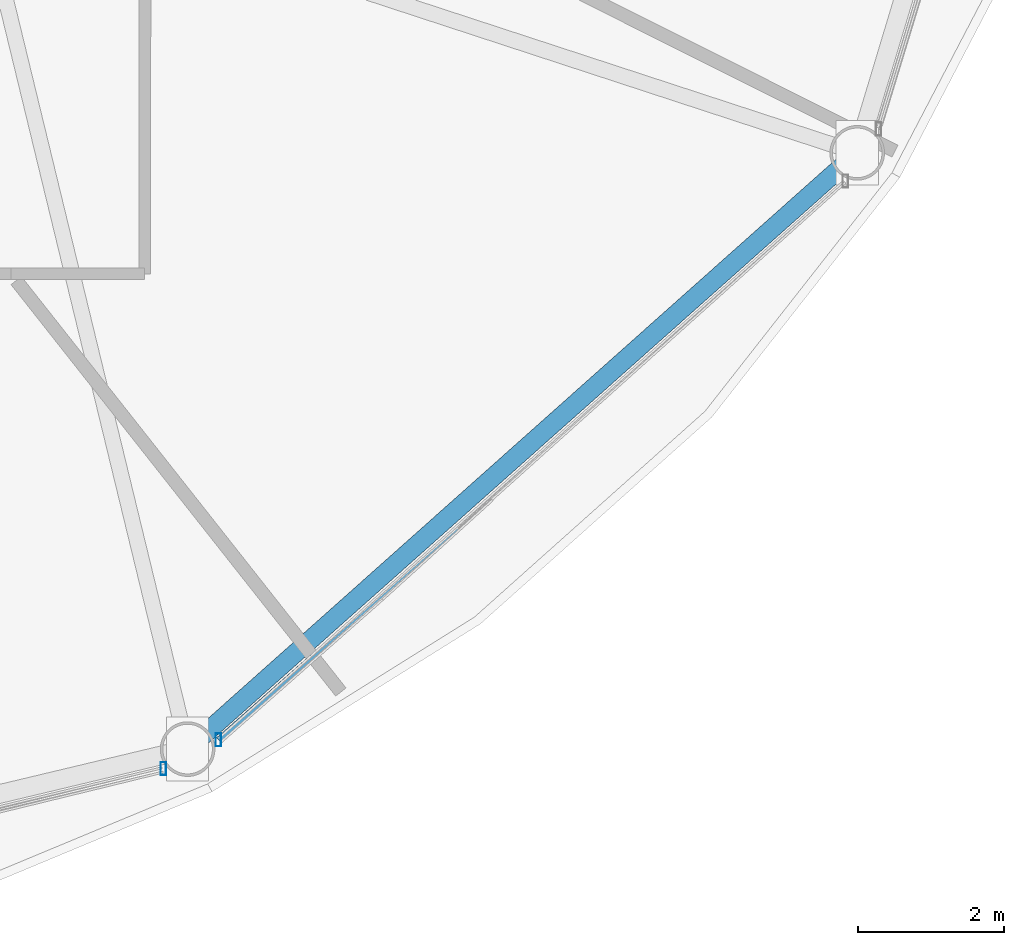
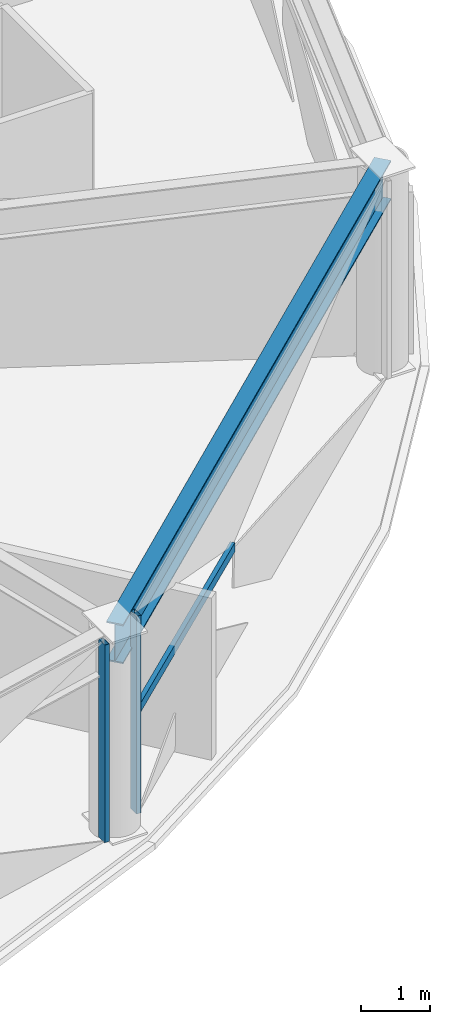
# One storey, part 9 of 30: 3 members, 1 beam, 2 elements without a shape of their own.
"""IFC4 building model written with IfcOpenShell, lengths in metres."""

from ifc_helpers import new_model, si_unit, direction, frame, origin, origin_2d, place, context, subcontext, project, spatial, hollow_rectangle, i_section, extrude, material, layer, layer_set, material_profile, profile_set, type_object, element, aggregate, save


model = new_model("IFC4")

# Units and contexts
model_context = context("Model", 3, precision=1e-05, world=origin(), true_north=direction((0.0, 1.0)))
body_context = subcontext(model_context, "Body", "Model", "MODEL_VIEW")
ifc_project = project(units=[si_unit("LENGTHUNIT", "METRE"), si_unit("AREAUNIT", "SQUARE_METRE"), si_unit("VOLUMEUNIT", "CUBIC_METRE"), si_unit("PLANEANGLEUNIT", "RADIAN"), si_unit("MASSUNIT", "GRAM", prefix="KILO")], contexts=[model_context])

# Site, building, storey
site_placement = place(None, origin())
site = spatial("IfcSite", under=ifc_project, at=site_placement, CompositionType="ELEMENT")
building_placement = place(site_placement, origin())
building = spatial("IfcBuilding", under=site, at=building_placement, Name="Vantalir Tower", CompositionType="ELEMENT")
storey_placement = place(building_placement, frame((0.0, 0.0, 130.949951171875)))
storey = spatial("IfcBuildingStorey", under=building, at=storey_placement, Name="L32", CompositionType="ELEMENT", Elevation=130.949951171875)

# Beam
ifc_material_1 = material(Name="Steel S460", Category="steel")
ifc_material_profile_1 = material_profile(ifc_material_1, i_section(OverallWidth=0.256103515625, OverallDepth=0.693115234375, WebThickness=0.014404296875, FlangeThickness=0.023681640625, at=origin_2d()), Name="Steel S460")
ifc_profile_set_1 = profile_set([ifc_material_profile_1], Name="Steel S460")
beam_type = type_object("IfcBeamType", Name="BM-RG-686x254", PredefinedType="USERDEFINED", material=ifc_profile_set_1)
beam_placement = place(storey_placement, frame((44.047119140625, 5.64892578125, 3.22412109375), z_axis=(0.746820820992, 0.665025308791, 0.0), x_axis=(-0.665025308791, 0.746820820992, 0.0)))
element("IfcBeam", 1, at=beam_placement, inside=storey, type_object=beam_type, Name="L32 Circumferential Ring Girder 11", ObjectType="GIRDER", PredefinedType="USERDEFINED", context=body_context, shape_type="SweptSolid", body=[
    extrude(i_section(OverallWidth=0.256103515625, OverallDepth=0.693115234375, WebThickness=0.014404296875, FlangeThickness=0.023681640625, at=origin_2d()), origin(), (0.0, 0.0, 1.0), 12.29736328125),
])

# Curtain wall, member
ifc_material_2 = material(Name="Champagne-silver PVDF aluminium and double-silver Low-E glass", Category="aluminium")
ifc_layer = layer(ifc_material_2, 0.199951171875)
ifc_layer_set = layer_set([ifc_layer], Name="Champagne-silver PVDF aluminium and double-silver Low-E glass")
curtain_wall_type = type_object("IfcCurtainWallType", Name="CW-DIAMOND-Z2", PredefinedType="USERDEFINED", material=ifc_layer_set)
curtain_wall_1_placement = place(storey_placement, origin())
curtain_wall_1 = element("IfcCurtainWall", 2, at=curtain_wall_1_placement, inside=storey, type_object=curtain_wall_type, Name="L32 Quilted Pyramid-Diamond Curtain Wall S10", ObjectType="UNITISED CURTAIN WALL", PredefinedType="USERDEFINED")
ifc_material_3 = material(Name="Champagne-silver PVDF aluminium 6063-T6", Category="aluminium")
ifc_material_profile_2 = material_profile(ifc_material_3, hollow_rectangle(XDim=0.074951171875, YDim=0.179931640625, WallThickness=0.00390625, at=origin_2d()), Name="Champagne-silver PVDF aluminium 6063-T6")
ifc_profile_set_2 = profile_set([ifc_material_profile_2], Name="Champagne-silver PVDF aluminium 6063-T6")
member_type_1 = type_object("IfcMemberType", Name="CWM-180x75", PredefinedType="MULLION", material=ifc_profile_set_2)
member_1_placement = place(storey_placement, frame((43.714111328125, 5.382080078125, 0.045166015625), z_axis=(0.0, 0.0, 1.0), x_axis=(1.0, 0.0, 0.0)))
member_1 = element("IfcMember", 3, at=member_1_placement, type_object=member_type_1, Name="CW-L32-S10 Mullion 2", PredefinedType="MULLION", context=body_context, shape_type="SweptSolid", body=[
    extrude(hollow_rectangle(XDim=0.074951171875, YDim=0.179931640625, WallThickness=0.00390625, at=origin_2d()), origin(), (0.0, 0.0, 1.0), 3.47998046875),
])
aggregate(curtain_wall_1, [member_1])

# Curtain wall, members
curtain_wall_2_placement = place(storey_placement, origin())
curtain_wall_2 = element("IfcCurtainWall", 4, at=curtain_wall_2_placement, inside=storey, type_object=curtain_wall_type, Name="L32 Quilted Pyramid-Diamond Curtain Wall S11", ObjectType="UNITISED CURTAIN WALL", PredefinedType="USERDEFINED")
member_2_placement = place(storey_placement, frame((44.469970703125, 5.777099609375, 0.045166015625), z_axis=(0.0, 0.0, 1.0), x_axis=(1.0, 0.0, 0.0)))
member_2 = element("IfcMember", 5, at=member_2_placement, type_object=member_type_1, Name="CW-L32-S11 Mullion 1", PredefinedType="MULLION", context=body_context, shape_type="SweptSolid", body=[
    extrude(hollow_rectangle(XDim=0.074951171875, YDim=0.179931640625, WallThickness=0.00390625, at=origin_2d()), origin(), (0.0, 0.0, 1.0), 3.47998046875),
])
ifc_material_profile_3 = material_profile(ifc_material_3, hollow_rectangle(XDim=0.074951171875, YDim=0.159912109375, WallThickness=0.00390625, at=origin_2d()), Name="Champagne-silver PVDF aluminium 6063-T6")
ifc_profile_set_3 = profile_set([ifc_material_profile_3], Name="Champagne-silver PVDF aluminium 6063-T6")
member_type_2 = type_object("IfcMemberType", Name="CWT-160x75", PredefinedType="USERDEFINED", material=ifc_profile_set_3)
member_3_placement = place(storey_placement, frame((44.469970703125, 5.777099609375, 1.78515625), z_axis=(0.750267425136, 0.66113447254, 0.0), x_axis=(-0.66113447254, 0.750267425136, 0.0)))
member_3 = element("IfcMember", 6, at=member_3_placement, type_object=member_type_2, Name="CW-L32-S11 Pyramid Fold Ridge Transom", ObjectType="TRANSOM", PredefinedType="USERDEFINED", context=body_context, shape_type="SweptSolid", body=[
    extrude(hollow_rectangle(XDim=0.074951171875, YDim=0.159912109375, WallThickness=0.00390625, at=origin_2d()), origin(), (0.0, 0.0, 1.0), 4.376953125),
])
aggregate(curtain_wall_2, [member_2, member_3])

save(model, "model.ifc")
